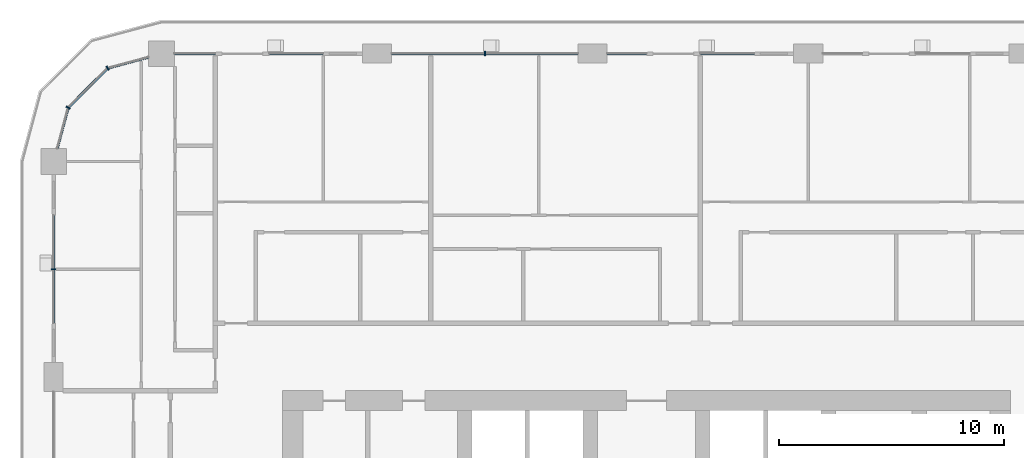
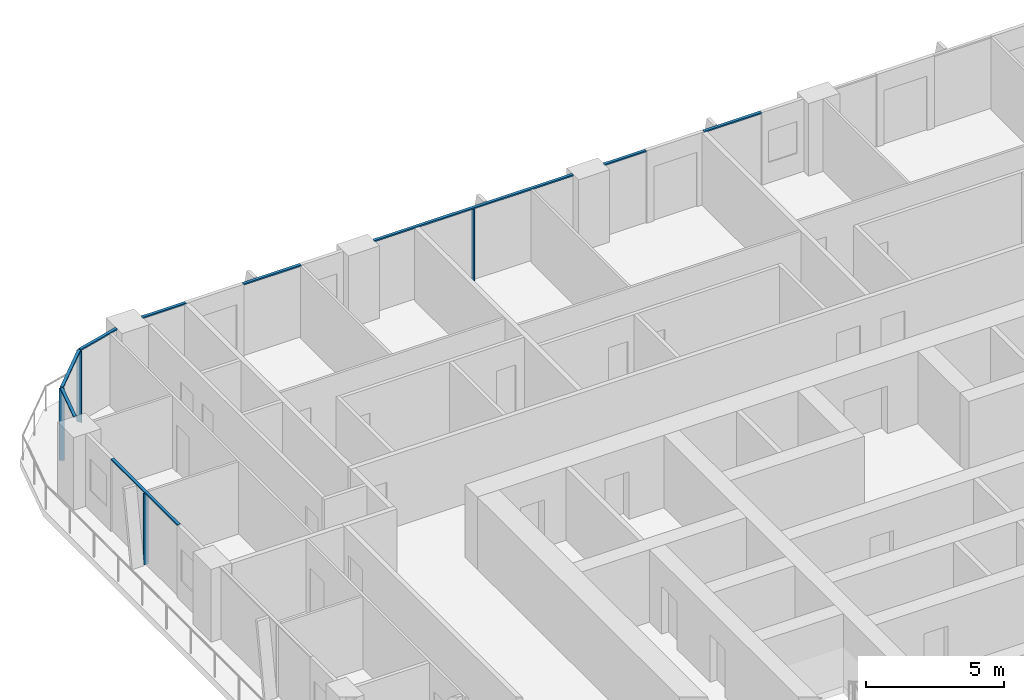
# One storey, part 5 of 21: 13 members, 5 elements without a shape of their own.
"""IFC4 building model written with IfcOpenShell, lengths in metres."""

from ifc_helpers import new_model, si_unit, direction, frame, origin, origin_2d, place, context, subcontext, project, spatial, rectangle, extrude, material, layer, layer_set, material_profile, profile_set, type_object, element, aggregate, save


model = new_model("IFC4")

# Units and contexts
model_context = context("Model", 3, precision=1e-05, world=origin(), true_north=direction((0.0, 1.0)))
body_context = subcontext(model_context, "Body", "Model", "MODEL_VIEW")
ifc_project = project(units=[si_unit("LENGTHUNIT", "METRE"), si_unit("AREAUNIT", "SQUARE_METRE"), si_unit("VOLUMEUNIT", "CUBIC_METRE"), si_unit("PLANEANGLEUNIT", "RADIAN"), si_unit("MASSUNIT", "GRAM", prefix="KILO")], contexts=[model_context])

# Site, building, storey
site_placement = place(None, origin())
site = spatial("IfcSite", under=ifc_project, at=site_placement, CompositionType="ELEMENT")
building_placement = place(site_placement, origin())
building = spatial("IfcBuilding", under=site, at=building_placement, Name="Madar Terraces", CompositionType="ELEMENT")
storey_placement = place(building_placement, frame((0.0, 0.0, 106.699951171875)))
storey = spatial("IfcBuildingStorey", under=building, at=storey_placement, Name="L27", CompositionType="ELEMENT", Elevation=106.699951171875)

# Curtain wall, member
ifc_material_1 = material(Name="Glass, ceramic frit dark grey, with black aluminium frame", Category="aluminium")
ifc_layer = layer(ifc_material_1, 0.199951171875)
ifc_layer_set = layer_set([ifc_layer], Name="Facade curtain wall, fritted glass")
curtain_wall_type = type_object("IfcCurtainWallType", Name="Facade curtain wall, fritted glass", PredefinedType="NOTDEFINED", material=ifc_layer_set)
curtain_wall_1_placement = place(storey_placement, origin())
curtain_wall_1 = element("IfcCurtainWall", 1, at=curtain_wall_1_placement, inside=storey, type_object=curtain_wall_type, Name="Outer skin curtain wall north bay 4", PredefinedType="NOTDEFINED")
ifc_material_2 = material(Name="Aluminium, black anodised", Category="aluminium")
ifc_material_profile_1 = material_profile(ifc_material_2, rectangle(XDim=0.199951171875, YDim=0.06005859375, at=origin_2d()), Name="Facade mullion 60x200")
ifc_profile_set_1 = profile_set([ifc_material_profile_1], Name="Aluminium, black anodised")
member_type_1 = type_object("IfcMemberType", Name="Facade mullion 60x200", PredefinedType="MULLION", material=ifc_profile_set_1)
member_1_placement = place(storey_placement, frame((24.0, 52.800048828125, 0.0), z_axis=(0.0, 0.0, 1.0), x_axis=(0.0, -1.0, 0.0)))
member_1 = element("IfcMember", 2, at=member_1_placement, type_object=member_type_1, Name="Mullion 1", PredefinedType="MULLION", context=body_context, shape_type="SweptSolid", body=[
    extrude(rectangle(XDim=0.199951171875, YDim=0.06005859375, at=origin_2d()), origin(), (0.0, 0.0, 1.0), 3.14013671875),
])

curtain_wall_2_placement = place(storey_placement, origin())
curtain_wall_2 = element("IfcCurtainWall", 3, at=curtain_wall_2_placement, inside=storey, type_object=curtain_wall_type, Name="Outer skin curtain wall west bay 1", PredefinedType="NOTDEFINED")
member_2_placement = place(storey_placement, frame((4.800048828125, 43.199951171875, 0.0), z_axis=(0.0, 0.0, 1.0), x_axis=(1.0, 0.0, 0.0)))
member_2 = element("IfcMember", 4, at=member_2_placement, type_object=member_type_1, Name="Mullion 1", PredefinedType="MULLION", context=body_context, shape_type="SweptSolid", body=[
    extrude(rectangle(XDim=0.199951171875, YDim=0.06005859375, at=origin_2d()), origin(), (0.0, 0.0, 1.0), 3.14013671875),
])

# Curtain wall, members
curtain_wall_3_placement = place(storey_placement, origin())
curtain_wall_3 = element("IfcCurtainWall", 5, at=curtain_wall_3_placement, inside=storey, type_object=curtain_wall_type, Name="Outer skin curtain wall north-west corner", PredefinedType="NOTDEFINED")
member_3_placement = place(storey_placement, frame((7.199951171875, 52.156982421875, 0.0), z_axis=(0.0, 0.0, 1.0), x_axis=(0.499999989586, -0.866025409797, 0.0)))
member_3 = element("IfcMember", 6, at=member_3_placement, type_object=member_type_1, Name="Mullion 1", PredefinedType="MULLION", context=body_context, shape_type="SweptSolid", body=[
    extrude(rectangle(XDim=0.199951171875, YDim=0.06005859375, at=origin_2d()), origin(), (0.0, 0.0, 1.0), 3.14013671875),
])
member_4_placement = place(storey_placement, frame((5.443115234375, 50.39990234375, 0.0), z_axis=(0.0, 0.0, 1.0), x_axis=(0.866025409797, -0.499999989586, 0.0)))
member_4 = element("IfcMember", 7, at=member_4_placement, type_object=member_type_1, Name="Mullion 2", PredefinedType="MULLION", context=body_context, shape_type="SweptSolid", body=[
    extrude(rectangle(XDim=0.199951171875, YDim=0.06005859375, at=origin_2d()), origin(), (0.0, 0.0, 1.0), 3.14013671875),
])

curtain_wall_4_placement = place(storey_placement, origin())
curtain_wall_4 = element("IfcCurtainWall", 8, at=curtain_wall_4_placement, inside=storey, type_object=curtain_wall_type, Name="Outer skin curtain wall north bay 3", PredefinedType="NOTDEFINED")
ifc_material_3 = material(Name="Aluminium, black anodised", Category="aluminium")
ifc_material_profile_2 = material_profile(ifc_material_3, rectangle(XDim=0.1201171875, YDim=0.06005859375, at=origin_2d()), Name="Facade transom 60x120")
ifc_profile_set_2 = profile_set([ifc_material_profile_2], Name="Aluminium, black anodised")
member_type_2 = type_object("IfcMemberType", Name="Facade transom 60x120", PredefinedType="USERDEFINED", material=ifc_profile_set_2)
member_5_placement = place(storey_placement, frame((36.0, 52.800048828125, 3.170166015625), z_axis=(-1.0, 0.0, 0.0), x_axis=(0.0, -1.0, 0.0)))
member_5 = element("IfcMember", 9, at=member_5_placement, type_object=member_type_2, Name="Transom 1", ObjectType="TRANSOM", PredefinedType="USERDEFINED", context=body_context, shape_type="SweptSolid", body=[
    extrude(rectangle(XDim=0.1201171875, YDim=0.06005859375, at=origin_2d()), origin(), (0.0, 0.0, 1.0), 2.39990234375),
])
member_6_placement = place(storey_placement, frame((31.199951171875, 52.800048828125, 3.170166015625), z_axis=(-1.0, 0.0, 0.0), x_axis=(0.0, -1.0, 0.0)))
member_6 = element("IfcMember", 10, at=member_6_placement, type_object=member_type_2, Name="Transom 2", ObjectType="TRANSOM", PredefinedType="USERDEFINED", context=body_context, shape_type="SweptSolid", body=[
    extrude(rectangle(XDim=0.1201171875, YDim=0.06005859375, at=origin_2d()), origin(), (0.0, 0.0, 1.0), 1.75),
])
aggregate(curtain_wall_4, [member_5, member_6])

# Member
member_7_placement = place(storey_placement, frame((28.14990234375, 52.800048828125, 3.170166015625), z_axis=(-1.0, 0.0, 0.0), x_axis=(0.0, -1.0, 0.0)))
member_7 = element("IfcMember", 11, at=member_7_placement, type_object=member_type_2, Name="Transom 1", ObjectType="TRANSOM", PredefinedType="USERDEFINED", context=body_context, shape_type="SweptSolid", body=[
    extrude(rectangle(XDim=0.1201171875, YDim=0.06005859375, at=origin_2d()), origin(), (0.0, 0.0, 1.0), 8.2998046875),
])

aggregate(curtain_wall_1, [member_1, member_7])

# Curtain wall, members
curtain_wall_5_placement = place(storey_placement, origin())
curtain_wall_5 = element("IfcCurtainWall", 12, at=curtain_wall_5_placement, inside=storey, type_object=curtain_wall_type, Name="Outer skin curtain wall north bay 5", PredefinedType="NOTDEFINED")
member_8_placement = place(storey_placement, frame((16.800048828125, 52.800048828125, 3.170166015625), z_axis=(-1.0, 0.0, 0.0), x_axis=(0.0, -1.0, 0.0)))
member_8 = element("IfcMember", 13, at=member_8_placement, type_object=member_type_2, Name="Transom 1", ObjectType="TRANSOM", PredefinedType="USERDEFINED", context=body_context, shape_type="SweptSolid", body=[
    extrude(rectangle(XDim=0.1201171875, YDim=0.06005859375, at=origin_2d()), origin(), (0.0, 0.0, 1.0), 2.400146484375),
])
member_9_placement = place(storey_placement, frame((12.0, 52.800048828125, 3.170166015625), z_axis=(-1.0, 0.0, 0.0), x_axis=(0.0, -1.0, 0.0)))
member_9 = element("IfcMember", 14, at=member_9_placement, type_object=member_type_2, Name="Transom 2", ObjectType="TRANSOM", PredefinedType="USERDEFINED", context=body_context, shape_type="SweptSolid", body=[
    extrude(rectangle(XDim=0.1201171875, YDim=0.06005859375, at=origin_2d()), origin(), (0.0, 0.0, 1.0), 1.824951171875),
])
aggregate(curtain_wall_5, [member_8, member_9])

# Member
member_10_placement = place(storey_placement, frame((4.800048828125, 45.60009765625, 3.170166015625), z_axis=(0.0, -1.0, 0.0), x_axis=(1.0, 0.0, 0.0)))
member_10 = element("IfcMember", 15, at=member_10_placement, type_object=member_type_2, Name="Transom 1", ObjectType="TRANSOM", PredefinedType="USERDEFINED", context=body_context, shape_type="SweptSolid", body=[
    extrude(rectangle(XDim=0.1201171875, YDim=0.06005859375, at=origin_2d()), origin(), (0.0, 0.0, 1.0), 4.800048828125),
])

aggregate(curtain_wall_2, [member_2, member_10])

member_11_placement = place(storey_placement, frame((9.02490234375, 52.64599609375, 3.170166015625), z_axis=(-0.965926950947, -0.258814847786, 0.0), x_axis=(0.258814847786, -0.965926950947, 0.0)))
member_11 = element("IfcMember", 16, at=member_11_placement, type_object=member_type_2, Name="Transom 1", ObjectType="TRANSOM", PredefinedType="USERDEFINED", context=body_context, shape_type="SweptSolid", body=[
    extrude(rectangle(XDim=0.1201171875, YDim=0.06005859375, at=origin_2d()), origin(), (0.0, 0.0, 1.0), 1.859130859375),
])

member_12_placement = place(storey_placement, frame((7.1787109375, 52.1357421875, 3.170166015625), z_axis=(-0.707056433593, -0.707157125196, 0.0), x_axis=(0.707157125196, -0.707056433593, 0.0)))
member_12 = element("IfcMember", 17, at=member_12_placement, type_object=member_type_2, Name="Transom 2", ObjectType="TRANSOM", PredefinedType="USERDEFINED", context=body_context, shape_type="SweptSolid", body=[
    extrude(rectangle(XDim=0.1201171875, YDim=0.06005859375, at=origin_2d()), origin(), (0.0, 0.0, 1.0), 2.424560546875),
])

member_13_placement = place(storey_placement, frame((5.435302734375, 50.37109375, 3.170166015625), z_axis=(-0.258782024434, -0.965935745187, 0.0), x_axis=(0.965935745187, -0.258782024434, 0.0)))
member_13 = element("IfcMember", 18, at=member_13_placement, type_object=member_type_2, Name="Transom 3", ObjectType="TRANSOM", PredefinedType="USERDEFINED", context=body_context, shape_type="SweptSolid", body=[
    extrude(rectangle(XDim=0.1201171875, YDim=0.06005859375, at=origin_2d()), origin(), (0.0, 0.0, 1.0), 1.859375),
])

aggregate(curtain_wall_3, [member_3, member_11, member_4, member_12, member_13])

save(model, "model.ifc")
